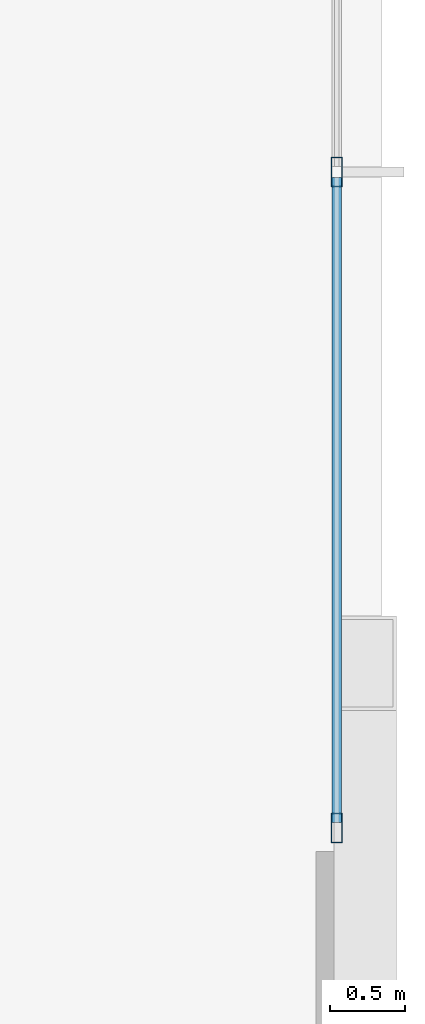
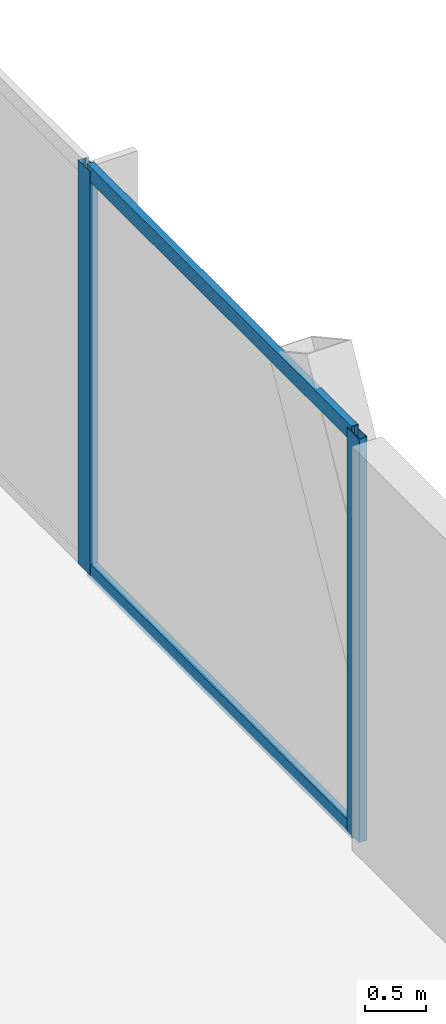
# One storey, part 20 of 42: 4 members, 1 element without a shape of its own.
"""IFC4 building model written with IfcOpenShell, lengths in metres."""

from ifc_helpers import new_model, si_unit, direction, frame, origin, origin_2d, place, context, subcontext, project, spatial, hollow_rectangle, extrude, material, layer, layer_set, material_profile, profile_set, type_object, element, aggregate, save


model = new_model("IFC4")

# Units and contexts
model_context = context("Model", 3, precision=1e-05, world=origin(), true_north=direction((0.0, 1.0)))
body_context = subcontext(model_context, "Body", "Model", "MODEL_VIEW")
ifc_project = project(units=[si_unit("LENGTHUNIT", "METRE"), si_unit("AREAUNIT", "SQUARE_METRE"), si_unit("VOLUMEUNIT", "CUBIC_METRE"), si_unit("PLANEANGLEUNIT", "RADIAN"), si_unit("MASSUNIT", "GRAM", prefix="KILO")], contexts=[model_context])

# Site, building, storey
site_placement = place(None, origin())
site = spatial("IfcSite", under=ifc_project, at=site_placement, CompositionType="ELEMENT")
building_placement = place(site_placement, origin())
building = spatial("IfcBuilding", under=site, at=building_placement, Name="Orvanel Arch Residences", CompositionType="ELEMENT")
storey_placement = place(building_placement, frame((0.0, 0.0, 5.5)))
storey = spatial("IfcBuildingStorey", under=building, at=storey_placement, Name="L01", CompositionType="ELEMENT", Elevation=5.5)

# Curtain wall, members
ifc_material = material(Name="Bronze-anodised aluminium AA6063-T6", Category="aluminium")
ifc_layer = layer(ifc_material, 0.199951171875)
ifc_layer_set = layer_set([ifc_layer], Name="Bronze-anodised aluminium AA6063-T6")
curtain_wall_type = type_object("IfcCurtainWallType", Name="CW1-POD-SYS", PredefinedType="NOTDEFINED", material=ifc_layer_set)
curtain_wall_placement = place(storey_placement, origin())
curtain_wall = element("IfcCurtainWall", 1, at=curtain_wall_placement, inside=storey, type_object=curtain_wall_type, Name="L01 CW1-POD-SYS Unitised Curtain Wall", PredefinedType="NOTDEFINED")
ifc_material_profile_1 = material_profile(ifc_material, hollow_rectangle(XDim=0.074951171875, YDim=0.199951171875, WallThickness=0.0048828125, at=origin_2d()), Name="ALU200x75x5")
ifc_profile_set_1 = profile_set([ifc_material_profile_1], Name="Bronze-anodised aluminium AA6063-T6")
member_type_1 = type_object("IfcMemberType", Name="MUL-200x75", PredefinedType="MULLION", material=ifc_profile_set_1)
member_1_placement = place(storey_placement, frame((64.449951171875, 18.677490234375, 0.0), z_axis=(0.0, 0.0, 1.0), x_axis=(-1.0, 0.0, 0.0)))
member_1 = element("IfcMember", 2, at=member_1_placement, type_object=member_type_1, Name="CW-S1 mullion 1", PredefinedType="MULLION", context=body_context, shape_type="SweptSolid", body=[
    extrude(hollow_rectangle(XDim=0.074951171875, YDim=0.199951171875, WallThickness=0.0048828125, at=origin_2d()), origin(), (0.0, 0.0, 1.0), 4.02001953125),
])
member_2_placement = place(storey_placement, frame((64.449951171875, 23.070068359375, 0.0), z_axis=(0.0, 0.0, 1.0), x_axis=(-1.0, 0.0, 0.0)))
member_2 = element("IfcMember", 3, at=member_2_placement, type_object=member_type_1, Name="CW-S1 mullion 2", PredefinedType="MULLION", context=body_context, shape_type="SweptSolid", body=[
    extrude(hollow_rectangle(XDim=0.074951171875, YDim=0.199951171875, WallThickness=0.0048828125, at=origin_2d()), origin(), (0.0, 0.0, 1.0), 4.02001953125),
])
ifc_material_profile_2 = material_profile(ifc_material, hollow_rectangle(XDim=0.06494140625, YDim=0.14990234375, WallThickness=0.00390625, at=origin_2d()), Name="ALU150x65x4")
ifc_profile_set_2 = profile_set([ifc_material_profile_2], Name="Bronze-anodised aluminium AA6063-T6")
member_type_2 = type_object("IfcMemberType", Name="TRN-150x65", PredefinedType="USERDEFINED", material=ifc_profile_set_2)
member_3_placement = place(storey_placement, frame((64.449951171875, 18.715087890625, 0.032470703125), z_axis=(0.0, 1.0, 0.0), x_axis=(-1.0, 0.0, 0.0)))
member_3 = element("IfcMember", 4, at=member_3_placement, type_object=member_type_2, Name="CW-S1 transom 1.1", ObjectType="TRANSOM", PredefinedType="USERDEFINED", context=body_context, shape_type="SweptSolid", body=[
    extrude(hollow_rectangle(XDim=0.06494140625, YDim=0.14990234375, WallThickness=0.00390625, at=origin_2d()), origin(), (0.0, 0.0, 1.0), 4.3173828125),
])
member_4_placement = place(storey_placement, frame((64.449951171875, 18.715087890625, 3.987548828125), z_axis=(0.0, 1.0, 0.0), x_axis=(-1.0, 0.0, 0.0)))
member_4 = element("IfcMember", 5, at=member_4_placement, type_object=member_type_2, Name="CW-S1 transom 1.2", ObjectType="TRANSOM", PredefinedType="USERDEFINED", context=body_context, shape_type="SweptSolid", body=[
    extrude(hollow_rectangle(XDim=0.06494140625, YDim=0.14990234375, WallThickness=0.00390625, at=origin_2d()), origin(), (0.0, 0.0, 1.0), 4.3173828125),
])
aggregate(curtain_wall, [member_1, member_2, member_3, member_4])

save(model, "model.ifc")
